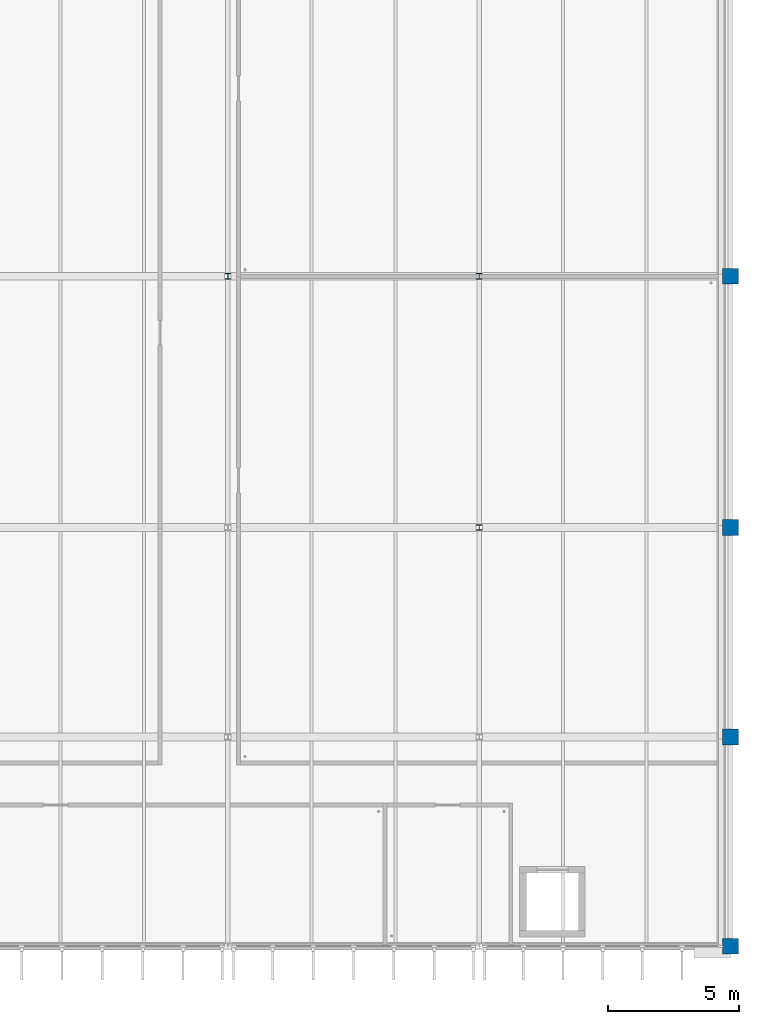
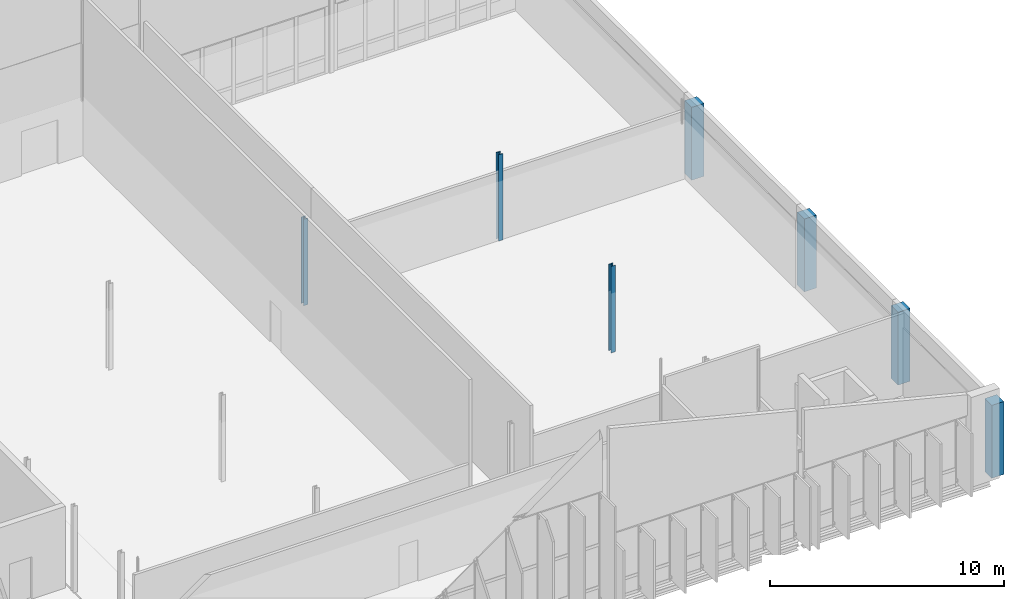
# One storey, part 15 of 110: 7 columns.
"""IFC4 building model written with IfcOpenShell, lengths in metres."""

from ifc_helpers import new_model, si_unit, direction, frame, origin, origin_2d, place, context, subcontext, project, spatial, rectangle, i_section, extrude, material, material_profile, profile_set, type_object, element, save


model = new_model("IFC4")

# Units and contexts
model_context = context("Model", 3, precision=1e-05, world=origin(), true_north=direction((0.0, 1.0)))
body_context = subcontext(model_context, "Body", "Model", "MODEL_VIEW")
ifc_project = project(units=[si_unit("LENGTHUNIT", "METRE"), si_unit("AREAUNIT", "SQUARE_METRE"), si_unit("VOLUMEUNIT", "CUBIC_METRE"), si_unit("PLANEANGLEUNIT", "RADIAN"), si_unit("MASSUNIT", "GRAM", prefix="KILO")], contexts=[model_context])

# Site, building, storey
site_placement = place(None, origin())
site = spatial("IfcSite", under=ifc_project, at=site_placement, CompositionType="ELEMENT")
building_placement = place(site_placement, origin())
building = spatial("IfcBuilding", under=site, at=building_placement, Name="Dunescarp Central Library", CompositionType="ELEMENT")
storey_placement = place(building_placement, frame((0.0, 0.0, 9.60009765625)))
storey = spatial("IfcBuildingStorey", under=building, at=storey_placement, Name="L02", CompositionType="ELEMENT", Elevation=9.60009765625)

# Columns
ifc_material_1 = material(Name="Concrete C40/50", Category="concrete")
ifc_material_profile_1 = material_profile(ifc_material_1, rectangle(XDim=0.60009765625, YDim=0.60009765625, at=origin_2d()), Name="RC 600x600")
ifc_profile_set_1 = profile_set([ifc_material_profile_1], Name="Concrete C40/50")
column_type_1 = type_object("IfcColumnType", Name="STR-COL-RC600", PredefinedType="COLUMN", material=ifc_profile_set_1)
for number, where, z_axis, x_axis, name in (
    (1, (168.0, 4.800048828125, 0.0), (0.0, 0.0, 1.0), (1.0, 0.0, 0.0), "L02 column V5-1680-48"),
    (2, (168.0, 12.800048828125, 0.0), (0.0, 0.0, 1.0), (1.0, 0.0, 0.0), "L02 column V5-1680-128"),
    (3, (168.0, 20.800048828125, 0.0), (0.0, 0.0, 1.0), (1.0, 0.0, 0.0), "L02 column V5-1680-208"),
    (4, (168.0, 30.39990234375, 0.0), (0.0, 0.0, 1.0), (1.0, 0.0, 0.0), "L02 column V5-1680-304"),
):
    element("IfcColumn", number, at=place(storey_placement, frame(where, z_axis=z_axis, x_axis=x_axis)), inside=storey, type_object=column_type_1, Name=name, PredefinedType="COLUMN", context=body_context, shape_type="SweptSolid", body=[
        extrude(rectangle(XDim=0.60009765625, YDim=0.60009765625, at=origin_2d()), origin(), (0.0, 0.0, 1.0), 3.79296875),
    ])
ifc_material_2 = material(Name="Steel S355JR", Category="steel")
ifc_material_profile_2 = material_profile(ifc_material_2, i_section(OverallWidth=0.206298828125, OverallDepth=0.2158203125, WebThickness=0.010009765625, FlangeThickness=0.017333984375, at=origin_2d()), Name="UC 203x203x71")
ifc_profile_set_2 = profile_set([ifc_material_profile_2], Name="Steel S355JR")
column_type_2 = type_object("IfcColumnType", Name="STR-COL-UC203X71", PredefinedType="COLUMN", material=ifc_profile_set_2)
for number, where, z_axis, x_axis, name in (
    (5, (148.800048828125, 30.39990234375, 0.0), (0.0, 0.0, 1.0), (1.0, 0.0, 0.0), "L02 column V5-1488-304"),
    (6, (158.39990234375, 20.800048828125, 0.0), (0.0, 0.0, 1.0), (1.0, 0.0, 0.0), "L02 column V5-1584-208"),
    (7, (158.39990234375, 30.39990234375, 0.0), (0.0, 0.0, 1.0), (1.0, 0.0, 0.0), "L02 column V5-1584-304"),
):
    element("IfcColumn", number, at=place(storey_placement, frame(where, z_axis=z_axis, x_axis=x_axis)), inside=storey, type_object=column_type_2, Name=name, PredefinedType="COLUMN", context=body_context, shape_type="SweptSolid", body=[
        extrude(i_section(OverallWidth=0.206298828125, OverallDepth=0.2158203125, WebThickness=0.010009765625, FlangeThickness=0.017333984375, at=origin_2d()), origin(), (0.0, 0.0, 1.0), 4.5),
    ])

save(model, "model.ifc")
